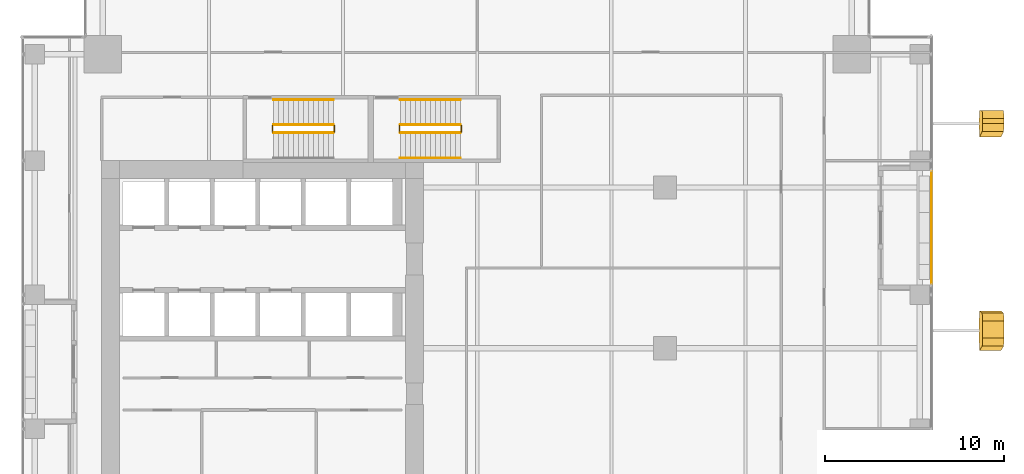
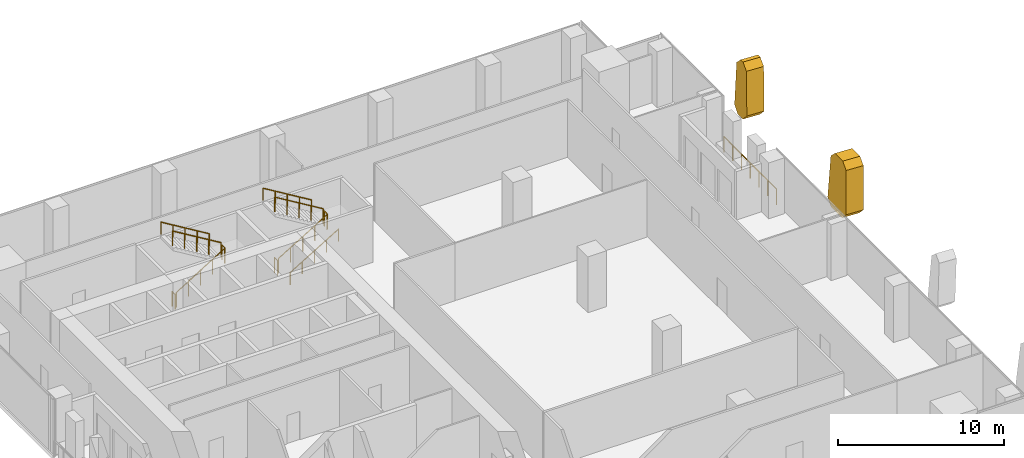
# One storey, part 34 of 35: 12 railings, 2 coverings.
"""IFC4 building model written with IfcOpenShell, lengths in metres."""

import ifcopenshell
import ifcopenshell.guid

model = None  # the IFC model being written
_history = None  # IfcOwnerHistory: only IFC2X3 demands one
_inside = {}  # id of a spatial element -> (the spatial element, [elements in it])
_under = {}  # id of a project, library or spatial element -> (it, [spatial elements below it])
_declared = {}  # id of a project -> (the project, [libraries it declares])
_typed = {}  # id of a type object -> (the type object, [elements of that type])
_made_of = {}  # id of a material, layer set ... -> (it, [elements and type objects made of it])


def new_model(schema):
    """Start an empty IFC model of exactly this schema.

    Asked for "IFC4X3", IfcOpenShell would pick the latest addendum, in which some entities
    have other attributes; the version numbers below select the first issue.
    IFC2X3 requires an IfcOwnerHistory on every rooted entity: one is made here for all.
    """
    global model, _history
    if schema == "IFC4X3":
        model = ifcopenshell.file(schema_version=(4, 3, 0, 0))
    else:
        model = ifcopenshell.file(schema=schema)
    _inside.clear()
    _under.clear()
    _declared.clear()
    _typed.clear()
    _made_of.clear()
    _history = None
    if model.schema == "IFC2X3":
        org = make("IfcOrganization", Name="unknown")
        user = make(
            "IfcPersonAndOrganization",
            ThePerson=make("IfcPerson", FamilyName="unknown"),
            TheOrganization=org,
        )
        app = make(
            "IfcApplication",
            ApplicationDeveloper=org,
            Version="unknown",
            ApplicationFullName="unknown",
            ApplicationIdentifier="unknown",
        )
        _history = make(
            "IfcOwnerHistory",
            OwningUser=user,
            OwningApplication=app,
            ChangeAction="ADDED",
            CreationDate=0,
        )
    return model


def make(cls, **values):
    """One entity of the class cls with the attributes given. An attribute that is None is left unset."""
    return model.create_entity(
        cls, **{name: value for name, value in values.items() if value is not None}
    )


def rooted(cls, **values):
    """An entity with a GlobalId (a new one), such as an element, a storey or a relation."""
    return make(cls, GlobalId=ifcopenshell.guid.new(), OwnerHistory=_history, **values)


def si_unit(unit_type, name, prefix=None):
    """IfcSIUnit, for example si_unit("LENGTHUNIT", "METRE", prefix="MILLI")."""
    return make("IfcSIUnit", UnitType=unit_type, Prefix=prefix, Name=name)


def assignment(units):
    """IfcUnitAssignment: the units of a project."""
    return None if units is None else make("IfcUnitAssignment", Units=units)


def point(xyz):
    """IfcCartesianPoint."""
    return None if xyz is None else make("IfcCartesianPoint", Coordinates=xyz)


def direction(xyz):
    """IfcDirection."""
    return None if xyz is None else make("IfcDirection", DirectionRatios=xyz)


def frame(location, z_axis=None, x_axis=None):
    """IfcAxis2Placement3D, a coordinate frame: its origin and axes. An axis left out is left unset."""
    return make(
        "IfcAxis2Placement3D",
        Location=point(location),
        Axis=direction(z_axis),
        RefDirection=direction(x_axis),
    )


def frame_2d(location, x_axis=None):
    """IfcAxis2Placement2D, a coordinate frame in the plane: its origin and x axis."""
    return make(
        "IfcAxis2Placement2D", Location=point(location), RefDirection=direction(x_axis)
    )


def origin():
    """The frame at (0, 0, 0) with its axes left unset."""
    return frame((0.0, 0.0, 0.0))


def origin_2d():
    """The frame at (0, 0) in the plane with its x axis left unset."""
    return frame_2d((0.0, 0.0))


def place(relative_to, where):
    """IfcLocalPlacement: puts the frame where relative to a parent placement (None: the world)."""
    return make(
        "IfcLocalPlacement", PlacementRelTo=relative_to, RelativePlacement=where
    )


def context(
    kind, dimensions, precision=None, world=None, true_north=None, identifier=None
):
    """IfcGeometricRepresentationContext, for example the 3D "Model" context."""
    return make(
        "IfcGeometricRepresentationContext",
        ContextIdentifier=identifier,
        ContextType=kind,
        CoordinateSpaceDimension=dimensions,
        Precision=precision,
        WorldCoordinateSystem=world,
        TrueNorth=true_north,
    )


def subcontext(parent, identifier, kind, view, scale=None):
    """IfcGeometricRepresentationSubContext, for example "Body" below "Model"."""
    return make(
        "IfcGeometricRepresentationSubContext",
        ContextIdentifier=identifier,
        ContextType=kind,
        ParentContext=parent,
        TargetScale=scale,
        TargetView=view,
    )


def project(units=None, contexts=None):
    """IfcProject with its units and contexts."""
    return rooted(
        "IfcProject",
        Name="project",
        RepresentationContexts=contexts,
        UnitsInContext=assignment(units),
    )


def spatial(cls, under=None, at=None, **own):
    """A site, building, storey or space (cls), placed at a placement, below another one or the project."""
    s = rooted(cls, ObjectPlacement=at, **own)
    if under is not None:
        _under.setdefault(under.id(), (under, []))[1].append(s)
    return s


def polyline(points):
    """IfcPolyline through the points."""
    return make("IfcPolyline", Points=[point(p) for p in points])


def profile(cls, at=None, kind="AREA", **sizes):
    """A parametric profile (cls). Its sizes go by their IFC names, for example OverallWidth=200.0."""
    return make(cls, ProfileType=kind, Position=at, **sizes)


def circle(**sizes):
    """IfcCircleProfileDef."""
    return profile("IfcCircleProfileDef", **sizes)


def outline(outer, holes=None, kind="AREA"):
    """IfcArbitraryClosedProfileDef: a profile drawn as a closed curve; with holes, ...WithVoids."""
    if holes is None:
        return make("IfcArbitraryClosedProfileDef", ProfileType=kind, OuterCurve=outer)
    return make(
        "IfcArbitraryProfileDefWithVoids",
        ProfileType=kind,
        OuterCurve=outer,
        InnerCurves=holes,
    )


def extrude(swept, where, along, depth):
    """IfcExtrudedAreaSolid: the profile swept, set in the frame where, extruded along a direction by depth."""
    return make(
        "IfcExtrudedAreaSolid",
        SweptArea=swept,
        Position=where,
        ExtrudedDirection=direction(along),
        Depth=depth,
    )


def shape(context_of_items, identifier, shape_type, items):
    """IfcShapeRepresentation: the items that make up one representation, for example the "Body"."""
    return make(
        "IfcShapeRepresentation",
        ContextOfItems=context_of_items,
        RepresentationIdentifier=identifier,
        RepresentationType=shape_type,
        Items=items,
    )


def source(mapping_origin, context_of_items, identifier, shape_type, items):
    """IfcRepresentationMap: a shape defined once, which mapped items show again and again."""
    return make(
        "IfcRepresentationMap",
        MappingOrigin=mapping_origin,
        MappedRepresentation=shape(context_of_items, identifier, shape_type, items),
    )


def transform(
    local_origin,
    x_axis=None,
    y_axis=None,
    z_axis=None,
    scale=None,
    scale2=None,
    scale3=None,
    uniform=True,
):
    """IfcCartesianTransformationOperator3D, or its non-uniform kind. x_axis, y_axis, z_axis: its Axis1, 2, 3."""
    if uniform:
        return make(
            "IfcCartesianTransformationOperator3D",
            Axis1=direction(x_axis),
            Axis2=direction(y_axis),
            LocalOrigin=point(local_origin),
            Scale=scale,
            Axis3=direction(z_axis),
        )
    return make(
        "IfcCartesianTransformationOperator3DnonUniform",
        Axis1=direction(x_axis),
        Axis2=direction(y_axis),
        LocalOrigin=point(local_origin),
        Scale=scale,
        Axis3=direction(z_axis),
        Scale2=scale2,
        Scale3=scale3,
    )


def mapped(mapping_source, mapping_target):
    """IfcMappedItem: shows the shape of a source again, moved by a transform."""
    return make(
        "IfcMappedItem", MappingSource=mapping_source, MappingTarget=mapping_target
    )


def material(Name=None, Category=None):
    """IfcMaterial."""
    return make("IfcMaterial", Name=Name, Category=Category)


def layer(
    of_material, thickness, ventilated=None, Name=None, Category=None, Priority=None
):
    """IfcMaterialLayer: one layer of a wall or slab, of a material (None: an air gap)."""
    return make(
        "IfcMaterialLayer",
        Material=of_material,
        LayerThickness=thickness,
        IsVentilated=ventilated,
        Name=Name,
        Category=Category,
        Priority=Priority,
    )


def layer_set(layers, Name=None):
    """IfcMaterialLayerSet."""
    return make("IfcMaterialLayerSet", MaterialLayers=layers, LayerSetName=Name)


def made_of(thing, what):
    """Note that an element or type object is made of a material, layer set ...; save() writes the relation."""
    if what is not None:
        _made_of.setdefault(what.id(), (what, []))[1].append(thing)
    return thing


def type_object(cls, material=None, **own):
    """A type object (cls), such as IfcWallType, which elements share."""
    return made_of(rooted(cls, **own), material)


def element(
    cls,
    number,
    at=None,
    inside=None,
    cuts=None,
    type_object=None,
    material=None,
    context=None,
    identifier="Body",
    shape_type=None,
    held_by="IfcProductDefinitionShape",
    body=None,
    shapes=None,
    **own,
):
    """One element of the class cls, such as IfcWall. Its Tag is "e" and its number.

    at: its placement. inside: the storey or other place that contains it. cuts: it is an
    opening in that element (IfcRelVoidsElement). A single representation is given by context,
    identifier, shape_type and body (its items); several are given by shapes. held_by: the class
    of the entity that holds the representations. save() writes the other relations.
    """
    e = rooted(cls, Tag="e%d" % number, ObjectPlacement=at, **own)
    if body is not None:
        shapes = [shape(context, identifier, shape_type, body)]
    if shapes is not None:
        e.Representation = make(held_by, Representations=shapes)
    if inside is not None:
        _inside.setdefault(inside.id(), (inside, []))[1].append(e)
    if cuts is not None:
        rooted(
            "IfcRelVoidsElement", RelatingBuildingElement=cuts, RelatedOpeningElement=e
        )
    if type_object is not None:
        _typed.setdefault(type_object.id(), (type_object, []))[1].append(e)
    return made_of(e, material)


def aggregate(whole, parts):
    """IfcRelAggregates: a whole, such as a stair, and the parts it consists of."""
    return rooted("IfcRelAggregates", RelatingObject=whole, RelatedObjects=parts)


def save(model, path):
    """Write the relations noted so far, then the file.

    IfcRelAggregates (storeys below a building ...), IfcRelContainedInSpatialStructure (elements
    in a storey), IfcRelDefinesByType, IfcRelAssociatesMaterial and IfcRelDeclares: one each for
    every whole, place, type object, material and project.
    """
    for whole, parts in _under.values():
        aggregate(whole, parts)
    for where, things in _inside.values():
        rooted(
            "IfcRelContainedInSpatialStructure",
            RelatedElements=things,
            RelatingStructure=where,
        )
    for kind, things in _typed.values():
        rooted("IfcRelDefinesByType", RelatedObjects=things, RelatingType=kind)
    for what, things in _made_of.values():
        rooted("IfcRelAssociatesMaterial", RelatedObjects=things, RelatingMaterial=what)
    for by, libraries in _declared.values():
        rooted("IfcRelDeclares", RelatingContext=by, RelatedDefinitions=libraries)
    model.write(path)


model = new_model("IFC4")

# Units and contexts
model_context = context("Model", 3, precision=1e-05, world=origin(), true_north=direction((0.0, 1.0)))
body_context = subcontext(model_context, "Body", "Model", "MODEL_VIEW")
ifc_project = project(units=[si_unit("LENGTHUNIT", "METRE"), si_unit("AREAUNIT", "SQUARE_METRE"), si_unit("VOLUMEUNIT", "CUBIC_METRE"), si_unit("PLANEANGLEUNIT", "RADIAN"), si_unit("MASSUNIT", "GRAM", prefix="KILO")], contexts=[model_context])

# Site, building, storey
site_placement = place(None, origin())
site = spatial("IfcSite", under=ifc_project, at=site_placement, CompositionType="ELEMENT")
building_placement = place(site_placement, origin())
building = spatial("IfcBuilding", under=site, at=building_placement, Name="Khomas Fold Tower", CompositionType="ELEMENT")
storey_placement = place(building_placement, frame((0.0, 0.0, 136.699951171875)))
storey = spatial("IfcBuildingStorey", under=building, at=storey_placement, Name="L29", CompositionType="ELEMENT", Elevation=136.699951171875)

# Coverings
ifc_material_1 = material(Name="Natural stone cladding", Category="masonry")
ifc_layer = layer(ifc_material_1, 1.199951171875)
ifc_layer_set = layer_set([ifc_layer], Name="Natural stone cladding")
covering_type = type_object("IfcCoveringType", Name="SK-Karibib marble stone panel", PredefinedType="CLADDING", material=ifc_layer_set)
covering_1_placement = place(storey_placement, frame((55.238037109375, 33.466796875, 3.51953125), z_axis=(-0.998874957678, 2.8157075e-05, 0.04742170527), x_axis=(-0.047375682023, 0.043457792343, -0.997931342848)))
element("IfcCovering", 1, at=covering_1_placement, inside=storey, type_object=covering_type, Name="OUTER SKIN leaf L29 ES09-3", PredefinedType="CLADDING", context=body_context, shape_type="SweptSolid", body=[
    extrude(outline(polyline([(0.0, 0.0), (3.056126258136209, 0.0), (3.5064019448765595, 0.46971878318988286), (3.4490346882359098, 1.7885400257800133), (2.9431235824548807, 2.2154438824835525), (-0.09676927232042454, 1.8366410915278277), (-0.490912418565209, 1.370341504786315), (-0.45002220086721306, 0.43031245560148745), (0.0, 0.0)])), origin(), (0.0, 0.0, -1.0), 1.199951171875),
])
covering_2_placement = place(storey_placement, frame((55.09423828125, 43.326904296875, 0.49365234375), z_axis=(-0.99887527583, 8.7575229e-05, 0.047414930834), x_axis=(0.047200872619, 0.096768752676, 0.994187047859)))
element("IfcCovering", 2, at=covering_2_placement, inside=storey, type_object=covering_type, Name="OUTER SKIN leaf L29 ES12-4", PredefinedType="CLADDING", context=body_context, shape_type="SweptSolid", body=[
    extrude(outline(polyline([(0.0, 0.0), (3.0678807884797186, 0.0), (3.5160082320785717, 0.40629596187966455), (3.5429645667473046, 0.683553080761984), (3.138167595570675, 1.1749822899462052), (0.09901503054159566, 1.4704640222519902), (-0.3928758916203243, 1.0662153293143684), (-0.4485368245559373, 0.49371947297191005), (0.0, 0.0)])), origin(), (0.0, 0.0, -1.0), 1.199951171875),
])

# Railings
ifc_material_2 = material(Name="Powder-coated steel", Category="steel")
railing_type_1 = type_object("IfcRailingType", Name="Balcony guard", PredefinedType="GUARDRAIL", material=ifc_material_2)
shared_shape_1 = source(origin(), body_context, "Body", "SweptSolid", [
    extrude(circle(Radius=0.02490234375, at=origin_2d()), frame((0.0, 0.0, 1.125), z_axis=(0.0, 1.0, 0.0), x_axis=(-1.0, 0.0, 0.0)), (0.0, 0.0, 1.0), 6.33984375),
    extrude(circle(Radius=0.02001953125, at=origin_2d()), origin(), (0.0, 0.0, 1.0), 1.099853515625),
    extrude(circle(Radius=0.02001953125, at=origin_2d()), frame((0.0, 1.056640625, 0.0)), (0.0, 0.0, 1.0), 1.099853515625),
    extrude(circle(Radius=0.02001953125, at=origin_2d()), frame((0.0, 2.11328125, 0.0)), (0.0, 0.0, 1.0), 1.099853515625),
    extrude(circle(Radius=0.02001953125, at=origin_2d()), frame((0.0, 3.169921875, 0.0)), (0.0, 0.0, 1.0), 1.099853515625),
    extrude(circle(Radius=0.02001953125, at=origin_2d()), frame((0.0, 4.2265625, 0.0)), (0.0, 0.0, 1.0), 1.099853515625),
    extrude(circle(Radius=0.02001953125, at=origin_2d()), frame((0.0, 5.283203125, 0.0)), (0.0, 0.0, 1.0), 1.099853515625),
    extrude(circle(Radius=0.02001953125, at=origin_2d()), frame((0.0, 6.33984375, 0.0)), (0.0, 0.0, 1.0), 1.099853515625),
])
railing_1_placement = place(storey_placement, frame((52.39990234375, 35.080078125, -0.044921875)))
element("IfcRailing", 3, at=railing_1_placement, inside=storey, type_object=railing_type_1, Name="Balcony guard BAL-L29-E4", PredefinedType="GUARDRAIL", context=body_context, shape_type="MappedRepresentation", body=[
    mapped(shared_shape_1, transform((0.0, 0.0, 0.0))),
])
ifc_material_3 = material(Name="Steel balustrade", Category="steel")
railing_type_2 = type_object("IfcRailingType", Name="Stair guard", PredefinedType="GUARDRAIL", material=ifc_material_3)
shared_shape_2 = source(origin(), body_context, "Body", "SweptSolid", [
    extrude(circle(Radius=0.02392578125, at=origin_2d()), frame((0.0, 0.0, 1.076171875), z_axis=(0.0, 1.0, 0.0), x_axis=(-1.0, 0.0, 0.0)), (0.0, 0.0, 1.0), 0.349853515625),
    extrude(circle(Radius=0.02099609375, at=origin_2d()), origin(), (0.0, 0.0, 1.0), 1.052001953125),
    extrude(circle(Radius=0.02099609375, at=origin_2d()), frame((0.0, 0.349853515625, 0.0)), (0.0, 0.0, 1.0), 1.052001953125),
])
for number, where, name in (
    (4, (19.010009765625, 43.60009765625, 2.199951171875), "L29 ST1 stair guard 2"),
    (5, (15.550048828125, 43.60009765625, 0.0), "L29 ST1 stair guard 4"),
    (6, (26.110107421875, 43.60009765625, 2.199951171875), "L29 ST3 stair guard 2"),
    (7, (22.64990234375, 43.60009765625, 0.0), "L29 ST3 stair guard 4"),
):
    element("IfcRailing", number, at=place(storey_placement, frame(where)), inside=storey, type_object=railing_type_2, Name=name, PredefinedType="GUARDRAIL", context=body_context, shape_type="MappedRepresentation", body=[
        mapped(shared_shape_2, transform((0.0, 0.0, 0.0))),
    ])
shared_shape_3 = source(origin(), body_context, "Body", "SweptSolid", [
    extrude(circle(Radius=0.02392578125, at=origin_2d()), frame((0.0, 0.0, 1.076171875), z_axis=(0.855820338506, 0.0, 0.51727318527), x_axis=(0.0, 1.0, 0.0)), (0.0, 0.0, 1.0), 3.92578125),
    extrude(circle(Radius=0.02099609375, at=origin_2d()), origin(), (0.0, 0.0, 1.0), 1.052001953125),
    extrude(circle(Radius=0.02099609375, at=origin_2d()), frame((0.83984375, 0.0, 0.5078125)), (0.0, 0.0, 1.0), 1.052001953125),
    extrude(circle(Radius=0.02099609375, at=origin_2d()), frame((1.679931640625, 0.0, 1.015380859375)), (0.0, 0.0, 1.0), 1.052001953125),
    extrude(circle(Radius=0.02099609375, at=origin_2d()), frame((2.52001953125, 0.0, 1.52294921875)), (0.0, 0.0, 1.0), 1.052001953125),
    extrude(circle(Radius=0.02099609375, at=origin_2d()), frame((3.35986328125, 0.0, 2.03076171875)), (0.0, 0.0, 1.0), 1.052001953125),
])
railing_2_placement = place(storey_placement, frame((15.60009765625, 43.550048828125, 0.169189453125)))
element("IfcRailing", 8, at=railing_2_placement, inside=storey, type_object=railing_type_2, Name="L29 ST1 stair guard 1", PredefinedType="GUARDRAIL", context=body_context, shape_type="MappedRepresentation", body=[
    mapped(shared_shape_3, transform((0.0, 0.0, 0.0))),
])
shared_shape_4 = source(origin(), body_context, "Body", "SweptSolid", [
    extrude(circle(Radius=0.02392578125, at=origin_2d()), frame((0.0, 0.0, 1.076171875), z_axis=(-0.855820338506, 0.0, 0.51727318527), x_axis=(0.0, -1.0, 0.0)), (0.0, 0.0, 1.0), 3.92578125),
    extrude(circle(Radius=0.02099609375, at=origin_2d()), origin(), (0.0, 0.0, 1.0), 1.052001953125),
    extrude(circle(Radius=0.02099609375, at=origin_2d()), frame((-0.83984375, 0.0, 0.5078125)), (0.0, 0.0, 1.0), 1.052001953125),
    extrude(circle(Radius=0.02099609375, at=origin_2d()), frame((-1.679931640625, 0.0, 1.015380859375)), (0.0, 0.0, 1.0), 1.052001953125),
    extrude(circle(Radius=0.02099609375, at=origin_2d()), frame((-2.52001953125, 0.0, 1.52294921875)), (0.0, 0.0, 1.0), 1.052001953125),
    extrude(circle(Radius=0.02099609375, at=origin_2d()), frame((-3.35986328125, 0.0, 2.03076171875)), (0.0, 0.0, 1.0), 1.052001953125),
])
railing_3_placement = place(storey_placement, frame((18.9599609375, 44.0, 2.369384765625)))
element("IfcRailing", 9, at=railing_3_placement, inside=storey, type_object=railing_type_2, Name="L29 ST1 stair guard 3", PredefinedType="GUARDRAIL", context=body_context, shape_type="MappedRepresentation", body=[
    mapped(shared_shape_4, transform((0.0, 0.0, 0.0))),
])
ifc_material_4 = material(Name="Steel handrail", Category="steel")
railing_type_3 = type_object("IfcRailingType", Name="Stair handrail", PredefinedType="HANDRAIL", material=ifc_material_4)
shared_shape_5 = source(origin(), body_context, "Body", "SweptSolid", [
    extrude(circle(Radius=0.02392578125, at=origin_2d()), frame((0.0, 0.0, 0.8759765625), z_axis=(-0.855820338506, 0.0, 0.51727318527), x_axis=(0.0, -1.0, 0.0)), (0.0, 0.0, 1.0), 3.92578125),
    extrude(circle(Radius=0.02099609375, at=origin_2d()), origin(), (0.0, 0.0, 1.0), 0.851806640625),
    extrude(circle(Radius=0.02099609375, at=origin_2d()), frame((-0.83984375, 0.0, 0.5078125)), (0.0, 0.0, 1.0), 0.851806640625),
    extrude(circle(Radius=0.02099609375, at=origin_2d()), frame((-1.679931640625, 0.0, 1.015380859375)), (0.0, 0.0, 1.0), 0.851806640625),
    extrude(circle(Radius=0.02099609375, at=origin_2d()), frame((-2.52001953125, 0.0, 1.52294921875)), (0.0, 0.0, 1.0), 0.851806640625),
    extrude(circle(Radius=0.02099609375, at=origin_2d()), frame((-3.35986328125, 0.0, 2.03076171875)), (0.0, 0.0, 1.0), 0.851806640625),
])
railing_4_placement = place(storey_placement, frame((18.9599609375, 45.39990234375, 2.369384765625)))
element("IfcRailing", 10, at=railing_4_placement, inside=storey, type_object=railing_type_3, Name="L29 ST1 stair handrail 2", PredefinedType="HANDRAIL", context=body_context, shape_type="MappedRepresentation", body=[
    mapped(shared_shape_5, transform((0.0, 0.0, 0.0))),
])
shared_shape_6 = source(origin(), body_context, "Body", "SweptSolid", [
    extrude(circle(Radius=0.02392578125, at=origin_2d()), frame((0.0, 0.0, 1.076171875), z_axis=(0.855836976705, 0.0, 0.517245656632), x_axis=(0.0, 1.0, 0.0)), (0.0, 0.0, 1.0), 3.926025390625),
    extrude(circle(Radius=0.02099609375, at=origin_2d()), origin(), (0.0, 0.0, 1.0), 1.052001953125),
    extrude(circle(Radius=0.02099609375, at=origin_2d()), frame((0.840087890625, 0.0, 0.5078125)), (0.0, 0.0, 1.0), 1.052001953125),
    extrude(circle(Radius=0.02099609375, at=origin_2d()), frame((1.68017578125, 0.0, 1.015380859375)), (0.0, 0.0, 1.0), 1.052001953125),
    extrude(circle(Radius=0.02099609375, at=origin_2d()), frame((2.52001953125, 0.0, 1.52294921875)), (0.0, 0.0, 1.0), 1.052001953125),
    extrude(circle(Radius=0.02099609375, at=origin_2d()), frame((3.360107421875, 0.0, 2.03076171875)), (0.0, 0.0, 1.0), 1.052001953125),
])
railing_5_placement = place(storey_placement, frame((22.699951171875, 43.550048828125, 0.169189453125)))
element("IfcRailing", 11, at=railing_5_placement, inside=storey, type_object=railing_type_2, Name="L29 ST3 stair guard 1", PredefinedType="GUARDRAIL", context=body_context, shape_type="MappedRepresentation", body=[
    mapped(shared_shape_6, transform((0.0, 0.0, 0.0))),
])
shared_shape_7 = source(origin(), body_context, "Body", "SweptSolid", [
    extrude(circle(Radius=0.02392578125, at=origin_2d()), frame((0.0, 0.0, 1.076171875), z_axis=(-0.855836976705, 0.0, 0.517245656632), x_axis=(0.0, -1.0, 0.0)), (0.0, 0.0, 1.0), 3.926025390625),
    extrude(circle(Radius=0.02099609375, at=origin_2d()), origin(), (0.0, 0.0, 1.0), 1.052001953125),
    extrude(circle(Radius=0.02099609375, at=origin_2d()), frame((-0.840087890625, 0.0, 0.5078125)), (0.0, 0.0, 1.0), 1.052001953125),
    extrude(circle(Radius=0.02099609375, at=origin_2d()), frame((-1.68017578125, 0.0, 1.015380859375)), (0.0, 0.0, 1.0), 1.052001953125),
    extrude(circle(Radius=0.02099609375, at=origin_2d()), frame((-2.52001953125, 0.0, 1.52294921875)), (0.0, 0.0, 1.0), 1.052001953125),
    extrude(circle(Radius=0.02099609375, at=origin_2d()), frame((-3.360107421875, 0.0, 2.03076171875)), (0.0, 0.0, 1.0), 1.052001953125),
])
railing_6_placement = place(storey_placement, frame((26.06005859375, 44.0, 2.369384765625)))
element("IfcRailing", 12, at=railing_6_placement, inside=storey, type_object=railing_type_2, Name="L29 ST3 stair guard 3", PredefinedType="GUARDRAIL", context=body_context, shape_type="MappedRepresentation", body=[
    mapped(shared_shape_7, transform((0.0, 0.0, 0.0))),
])
shared_shape_8 = source(origin(), body_context, "Body", "SweptSolid", [
    extrude(circle(Radius=0.02392578125, at=origin_2d()), frame((0.0, 0.0, 0.8759765625), z_axis=(0.855836976705, 0.0, 0.517245656632), x_axis=(0.0, 1.0, 0.0)), (0.0, 0.0, 1.0), 3.926025390625),
    extrude(circle(Radius=0.02099609375, at=origin_2d()), origin(), (0.0, 0.0, 1.0), 0.851806640625),
    extrude(circle(Radius=0.02099609375, at=origin_2d()), frame((0.840087890625, 0.0, 0.5078125)), (0.0, 0.0, 1.0), 0.851806640625),
    extrude(circle(Radius=0.02099609375, at=origin_2d()), frame((1.68017578125, 0.0, 1.015380859375)), (0.0, 0.0, 1.0), 0.851806640625),
    extrude(circle(Radius=0.02099609375, at=origin_2d()), frame((2.52001953125, 0.0, 1.52294921875)), (0.0, 0.0, 1.0), 0.851806640625),
    extrude(circle(Radius=0.02099609375, at=origin_2d()), frame((3.360107421875, 0.0, 2.03076171875)), (0.0, 0.0, 1.0), 0.851806640625),
])
railing_7_placement = place(storey_placement, frame((22.699951171875, 42.14990234375, 0.169189453125)))
element("IfcRailing", 13, at=railing_7_placement, inside=storey, type_object=railing_type_3, Name="L29 ST3 stair handrail 1", PredefinedType="HANDRAIL", context=body_context, shape_type="MappedRepresentation", body=[
    mapped(shared_shape_8, transform((0.0, 0.0, 0.0))),
])
shared_shape_9 = source(origin(), body_context, "Body", "SweptSolid", [
    extrude(circle(Radius=0.02392578125, at=origin_2d()), frame((0.0, 0.0, 0.8759765625), z_axis=(-0.855836976705, 0.0, 0.517245656632), x_axis=(0.0, -1.0, 0.0)), (0.0, 0.0, 1.0), 3.926025390625),
    extrude(circle(Radius=0.02099609375, at=origin_2d()), origin(), (0.0, 0.0, 1.0), 0.851806640625),
    extrude(circle(Radius=0.02099609375, at=origin_2d()), frame((-0.840087890625, 0.0, 0.5078125)), (0.0, 0.0, 1.0), 0.851806640625),
    extrude(circle(Radius=0.02099609375, at=origin_2d()), frame((-1.68017578125, 0.0, 1.015380859375)), (0.0, 0.0, 1.0), 0.851806640625),
    extrude(circle(Radius=0.02099609375, at=origin_2d()), frame((-2.52001953125, 0.0, 1.52294921875)), (0.0, 0.0, 1.0), 0.851806640625),
    extrude(circle(Radius=0.02099609375, at=origin_2d()), frame((-3.360107421875, 0.0, 2.03076171875)), (0.0, 0.0, 1.0), 0.851806640625),
])
railing_8_placement = place(storey_placement, frame((26.06005859375, 45.39990234375, 2.369384765625)))
element("IfcRailing", 14, at=railing_8_placement, inside=storey, type_object=railing_type_3, Name="L29 ST3 stair handrail 2", PredefinedType="HANDRAIL", context=body_context, shape_type="MappedRepresentation", body=[
    mapped(shared_shape_9, transform((0.0, 0.0, 0.0))),
])

save(model, "model.ifc")
